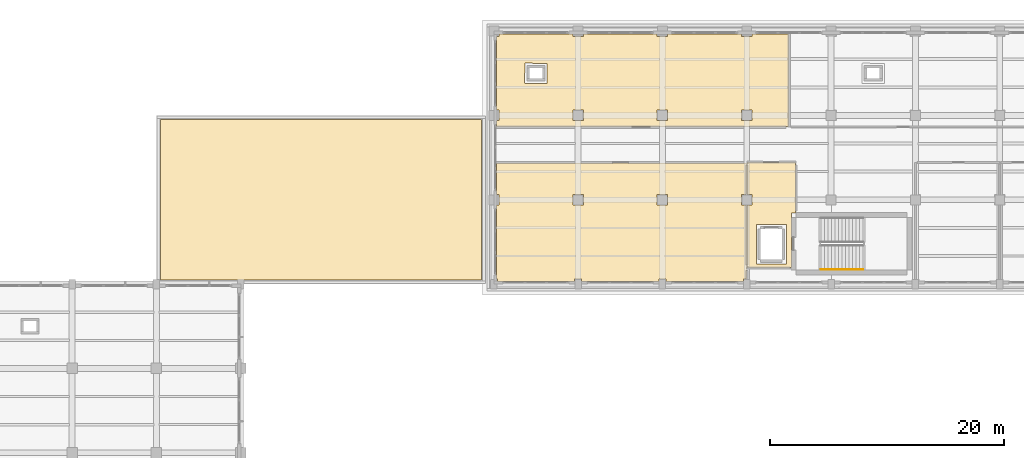
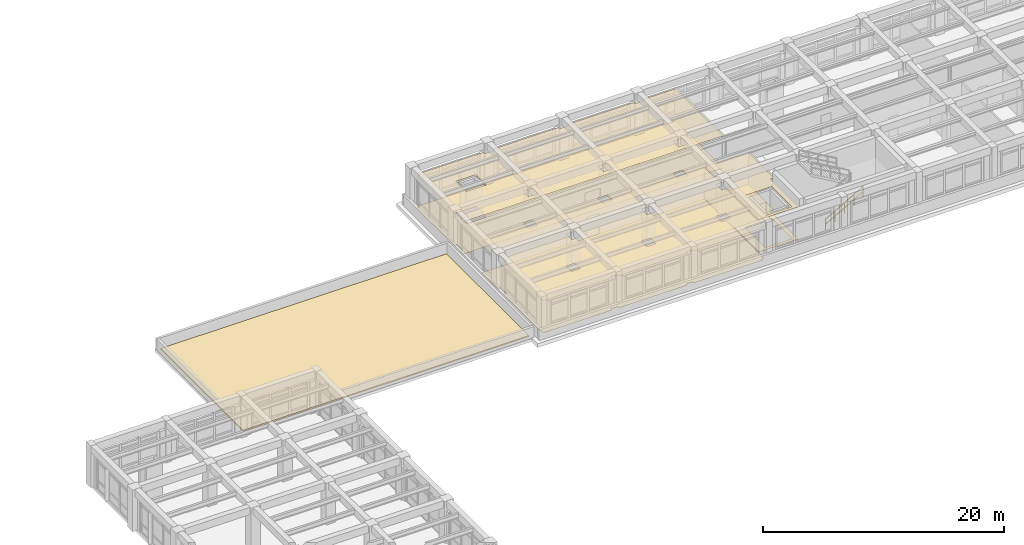
# One storey, part 65 of 69: 7 coverings, 1 railing.
"""IFC4 building model written with IfcOpenShell, lengths in metres."""

from ifc_helpers import new_model, si_unit, direction, frame, origin, origin_2d, place, context, subcontext, project, spatial, polyline, circle, outline, extrude, material, layer, layer_set, type_object, element, save


model = new_model("IFC4")

# Units and contexts
model_context = context("Model", 3, precision=1e-05, world=origin(), true_north=direction((0.0, 1.0)))
body_context = subcontext(model_context, "Body", "Model", "MODEL_VIEW")
ifc_project = project(units=[si_unit("LENGTHUNIT", "METRE"), si_unit("AREAUNIT", "SQUARE_METRE"), si_unit("VOLUMEUNIT", "CUBIC_METRE"), si_unit("PLANEANGLEUNIT", "RADIAN"), si_unit("MASSUNIT", "GRAM", prefix="KILO")], contexts=[model_context])

# Site, building, storey
site_placement = place(None, origin())
site = spatial("IfcSite", under=ifc_project, at=site_placement, CompositionType="ELEMENT")
building_placement = place(site_placement, origin())
building = spatial("IfcBuilding", under=site, at=building_placement, Name="Solenvale Faculty of Natural Sciences", CompositionType="ELEMENT")
storey_placement = place(building_placement, frame((0.0, 0.0, 4.5)))
storey = spatial("IfcBuildingStorey", under=building, at=storey_placement, Name="L01", CompositionType="ELEMENT", Elevation=4.5)

# Coverings
ifc_material_1 = material(Name="Acoustic mineral-timber ceiling", Category="wood")
ifc_layer_1 = layer(ifc_material_1, 0.02490234375)
ifc_layer_set_1 = layer_set([ifc_layer_1], Name="Acoustic mineral-timber ceiling")
covering_type_1 = type_object("IfcCoveringType", Name="COV-CEIL-AC25", PredefinedType="CEILING", material=ifc_layer_set_1)
covering_1_placement = place(storey_placement, frame((0.0, 0.0, 3.235107421875)))
element("IfcCovering", 1, at=covering_1_placement, inside=storey, type_object=covering_type_1, Name="L01 Firefighting Lobby C4 Acoustic Ceiling", PredefinedType="CEILING", context=body_context, shape_type="SweptSolid", body=[
    extrude(outline(polyline([(104.97998046875, 99.7099609375), (104.9560546875, 99.680908203125), (104.64794921875, 99.679931640625), (104.6201171875, 99.652099609375), (104.613037109375, 95.031005859375), (104.590087890625, 95.02001953125), (100.8310546875, 95.027099609375), (100.820068359375, 95.050048828125), (100.820068359375, 100.322998046875), (100.846923828125, 100.35009765625), (101.2490234375, 100.35595703125), (101.25, 101.239013671875), (101.239013671875, 101.25), (100.846923828125, 101.25), (100.821044921875, 101.27392578125), (100.820068359375, 103.949951171875), (100.8291015625, 103.970947265625), (100.85009765625, 103.97998046875), (104.949951171875, 103.97998046875), (104.970947265625, 103.970947265625), (104.97998046875, 103.949951171875), (104.97998046875, 99.7099609375)]), holes=[polyline([(104.179931640625, 98.652099609375), (104.169921875, 98.672119140625), (104.14990234375, 98.679931640625), (101.64990234375, 98.679931640625), (101.6259765625, 98.66796875), (101.6201171875, 95.35009765625), (101.632080078125, 95.325927734375), (104.14990234375, 95.320068359375), (104.174072265625, 95.33203125), (104.179931640625, 98.652099609375)])]), origin(), (0.0, 0.0, 1.0), 0.02490234375),
])
covering_2_placement = place(storey_placement, frame((0.0, 0.0, 3.235107421875)))
element("IfcCovering", 2, at=covering_2_placement, inside=storey, type_object=covering_type_1, Name="L01 Earth Sciences Teaching Laboratory Acoustic Ceiling", PredefinedType="CEILING", context=body_context, shape_type="SweptSolid", body=[
    extrude(outline(polyline([(100.72998046875, 103.9599609375), (100.7509765625, 103.950927734375), (100.760009765625, 103.929931640625), (100.760009765625, 101.277099609375), (100.73291015625, 101.25), (100.361083984375, 101.25), (100.35009765625, 101.239013671875), (100.35107421875, 100.35595703125), (100.73291015625, 100.35009765625), (100.760009765625, 100.320068359375), (100.760009765625, 95.0), (100.780029296875, 94.950927734375), (100.780029296875, 94.054931640625), (100.7529296875, 94.02490234375), (100.50390625, 94.02294921875), (100.5, 93.866943359375), (100.48388671875, 93.843994140625), (93.929931640625, 93.840087890625), (93.90087890625, 93.864013671875), (93.89990234375, 94.01611328125), (93.888916015625, 94.02490234375), (93.306884765625, 94.02490234375), (93.299072265625, 93.864013671875), (93.27001953125, 93.840087890625), (86.72998046875, 93.840087890625), (86.700927734375, 93.864013671875), (86.699951171875, 94.01611328125), (86.68896484375, 94.02490234375), (86.10693359375, 94.02490234375), (86.09912109375, 93.864013671875), (86.070068359375, 93.840087890625), (79.530029296875, 93.840087890625), (79.50390625, 93.85595703125), (79.5, 94.01806640625), (79.452880859375, 94.030029296875), (79.43994140625, 94.054931640625), (79.43994140625, 100.320068359375), (79.464111328125, 100.34912109375), (79.64990234375, 100.35791015625), (79.64990234375, 101.239013671875), (79.64111328125, 101.25), (79.464111328125, 101.2509765625), (79.43994140625, 101.277099609375), (79.43994140625, 103.929931640625), (79.4560546875, 103.9560546875), (100.72998046875, 103.9599609375)]), holes=[polyline([(94.050048828125, 101.239013671875), (94.0390625, 101.25), (93.153076171875, 101.2470703125), (93.153076171875, 100.35302734375), (94.047119140625, 100.35302734375), (94.050048828125, 101.239013671875)]), polyline([(86.85009765625, 101.239013671875), (86.839111328125, 101.25), (85.952880859375, 101.2470703125), (85.952880859375, 100.35302734375), (86.846923828125, 100.35302734375), (86.85009765625, 101.239013671875)])]), origin(), (0.0, 0.0, 1.0), 0.02490234375),
])
covering_3_placement = place(storey_placement, frame((0.0, 0.0, 3.235107421875)))
element("IfcCovering", 3, at=covering_3_placement, inside=storey, type_object=covering_type_1, Name="L01 Molecular Biology Research Laboratory Acoustic Ceiling", PredefinedType="CEILING", context=body_context, shape_type="SweptSolid", body=[
    extrude(outline(polyline([(85.919921875, 114.9599609375), (85.948974609375, 114.93603515625), (85.949951171875, 114.759033203125), (85.9609375, 114.75), (86.842041015625, 114.75), (86.85107421875, 114.93603515625), (86.8798828125, 114.9599609375), (93.1201171875, 114.9599609375), (93.14892578125, 114.93603515625), (93.14990234375, 114.759033203125), (93.160888671875, 114.75), (94.0419921875, 114.75), (94.051025390625, 114.93603515625), (94.080078125, 114.9599609375), (100.320068359375, 114.9599609375), (100.34912109375, 114.93603515625), (100.35009765625, 114.759033203125), (100.361083984375, 114.75), (101.241943359375, 114.75), (101.2509765625, 114.93603515625), (101.277099609375, 114.9599609375), (104.361083984375, 114.9580078125), (104.3798828125, 114.929931640625), (104.3779296875, 107.05908203125), (104.35009765625, 107.0400390625), (79.450927734375, 107.047119140625), (79.43994140625, 107.070068359375), (79.44189453125, 107.531005859375), (79.467041015625, 107.550048828125), (79.64111328125, 107.550048828125), (79.64990234375, 107.55908203125), (79.64990234375, 108.43896484375), (79.64111328125, 108.449951171875), (79.464111328125, 108.450927734375), (79.43994140625, 108.47998046875), (79.447021484375, 114.739013671875), (79.467041015625, 114.75), (79.64697265625, 114.7529296875), (79.65087890625, 114.93603515625), (79.679931640625, 114.9599609375), (85.919921875, 114.9599609375)]), holes=[polyline([(101.25, 108.43896484375), (101.239013671875, 108.449951171875), (100.35302734375, 108.447021484375), (100.35302734375, 107.552978515625), (101.2470703125, 107.552978515625), (101.25, 108.43896484375)]), polyline([(93.160888671875, 108.449951171875), (93.14990234375, 108.43896484375), (93.153076171875, 107.552978515625), (94.047119140625, 107.552978515625), (94.047119140625, 108.447021484375), (93.160888671875, 108.449951171875)]), polyline([(86.85009765625, 108.43896484375), (86.839111328125, 108.449951171875), (85.952880859375, 108.447021484375), (85.952880859375, 107.552978515625), (86.846923828125, 107.552978515625), (86.85009765625, 108.43896484375)]), polyline([(83.73193359375, 110.739990234375), (83.751953125, 110.75), (83.760009765625, 110.77001953125), (83.760009765625, 112.429931640625), (83.75, 112.451904296875), (81.8701171875, 112.4599609375), (81.847900390625, 112.449951171875), (81.840087890625, 110.77001953125), (81.85009765625, 110.748046875), (83.73193359375, 110.739990234375)])]), origin(), (0.0, 0.0, 1.0), 0.02490234375),
])
ifc_material_2 = material(Name="Polished slate terrazzo flooring", Category="masonry")
ifc_layer_2 = layer(ifc_material_2, 0.01806640625)
ifc_layer_set_2 = layer_set([ifc_layer_2], Name="Polished slate terrazzo flooring")
covering_type_2 = type_object("IfcCoveringType", Name="COV-FLR-TRZ18", PredefinedType="FLOORING", material=ifc_layer_set_2)
covering_4_placement = place(storey_placement, origin())
element("IfcCovering", 4, at=covering_4_placement, inside=storey, type_object=covering_type_2, Name="L01 Firefighting Lobby C4 Floor Finish", PredefinedType="FLOORING", context=body_context, shape_type="SweptSolid", body=[
    extrude(outline(polyline([(104.97998046875, 99.7099609375), (104.9560546875, 99.680908203125), (104.64794921875, 99.679931640625), (104.6201171875, 99.652099609375), (104.613037109375, 95.031005859375), (104.590087890625, 95.02001953125), (100.8310546875, 95.027099609375), (100.820068359375, 95.050048828125), (100.820068359375, 100.322998046875), (100.846923828125, 100.35009765625), (101.2490234375, 100.35595703125), (101.25, 101.239013671875), (101.239013671875, 101.25), (100.846923828125, 101.25), (100.821044921875, 101.27392578125), (100.820068359375, 103.949951171875), (100.8291015625, 103.970947265625), (100.85009765625, 103.97998046875), (104.949951171875, 103.97998046875), (104.970947265625, 103.970947265625), (104.97998046875, 103.949951171875), (104.97998046875, 99.7099609375)]), holes=[polyline([(104.179931640625, 98.652099609375), (104.169921875, 98.672119140625), (104.14990234375, 98.679931640625), (101.64990234375, 98.679931640625), (101.6259765625, 98.66796875), (101.6201171875, 95.35009765625), (101.632080078125, 95.325927734375), (104.14990234375, 95.320068359375), (104.174072265625, 95.33203125), (104.179931640625, 98.652099609375)])]), origin(), (0.0, 0.0, 1.0), 0.01806640625),
])
ifc_material_3 = material(Name="Seamless laboratory vinyl flooring")
ifc_layer_3 = layer(ifc_material_3, 0.008056640625)
ifc_layer_set_3 = layer_set([ifc_layer_3], Name="Seamless laboratory vinyl flooring")
covering_type_3 = type_object("IfcCoveringType", Name="COV-FLR-VNL08", PredefinedType="FLOORING", material=ifc_layer_set_3)
covering_5_placement = place(storey_placement, origin())
element("IfcCovering", 5, at=covering_5_placement, inside=storey, type_object=covering_type_3, Name="L01 Earth Sciences Teaching Laboratory Floor Finish", PredefinedType="FLOORING", context=body_context, shape_type="SweptSolid", body=[
    extrude(outline(polyline([(100.72998046875, 103.9599609375), (100.7509765625, 103.950927734375), (100.760009765625, 103.929931640625), (100.760009765625, 101.277099609375), (100.73291015625, 101.25), (100.361083984375, 101.25), (100.35009765625, 101.239013671875), (100.35107421875, 100.35595703125), (100.73291015625, 100.35009765625), (100.760009765625, 100.320068359375), (100.760009765625, 95.0), (100.780029296875, 94.950927734375), (100.780029296875, 94.054931640625), (100.7529296875, 94.02490234375), (100.50390625, 94.02294921875), (100.5, 93.866943359375), (100.48388671875, 93.843994140625), (93.929931640625, 93.840087890625), (93.90087890625, 93.864013671875), (93.89990234375, 94.01611328125), (93.888916015625, 94.02490234375), (93.306884765625, 94.02490234375), (93.299072265625, 93.864013671875), (93.27001953125, 93.840087890625), (86.72998046875, 93.840087890625), (86.700927734375, 93.864013671875), (86.699951171875, 94.01611328125), (86.68896484375, 94.02490234375), (86.10693359375, 94.02490234375), (86.09912109375, 93.864013671875), (86.070068359375, 93.840087890625), (79.530029296875, 93.840087890625), (79.50390625, 93.85595703125), (79.5, 94.01806640625), (79.452880859375, 94.030029296875), (79.43994140625, 94.054931640625), (79.43994140625, 100.320068359375), (79.464111328125, 100.34912109375), (79.64990234375, 100.35791015625), (79.64990234375, 101.239013671875), (79.64111328125, 101.25), (79.464111328125, 101.2509765625), (79.43994140625, 101.277099609375), (79.43994140625, 103.929931640625), (79.4560546875, 103.9560546875), (100.72998046875, 103.9599609375)]), holes=[polyline([(94.050048828125, 101.239013671875), (94.0390625, 101.25), (93.153076171875, 101.2470703125), (93.153076171875, 100.35302734375), (94.047119140625, 100.35302734375), (94.050048828125, 101.239013671875)]), polyline([(86.85009765625, 101.239013671875), (86.839111328125, 101.25), (85.952880859375, 101.2470703125), (85.952880859375, 100.35302734375), (86.846923828125, 100.35302734375), (86.85009765625, 101.239013671875)])]), origin(), (0.0, 0.0, 1.0), 0.008056640625),
])
covering_6_placement = place(storey_placement, origin())
element("IfcCovering", 6, at=covering_6_placement, inside=storey, type_object=covering_type_3, Name="L01 Molecular Biology Research Laboratory Floor Finish", PredefinedType="FLOORING", context=body_context, shape_type="SweptSolid", body=[
    extrude(outline(polyline([(85.919921875, 114.9599609375), (85.948974609375, 114.93603515625), (85.949951171875, 114.759033203125), (85.9609375, 114.75), (86.842041015625, 114.75), (86.85107421875, 114.93603515625), (86.8798828125, 114.9599609375), (93.1201171875, 114.9599609375), (93.14892578125, 114.93603515625), (93.14990234375, 114.759033203125), (93.160888671875, 114.75), (94.0419921875, 114.75), (94.051025390625, 114.93603515625), (94.080078125, 114.9599609375), (100.320068359375, 114.9599609375), (100.34912109375, 114.93603515625), (100.35009765625, 114.759033203125), (100.361083984375, 114.75), (101.241943359375, 114.75), (101.2509765625, 114.93603515625), (101.277099609375, 114.9599609375), (104.361083984375, 114.9580078125), (104.3798828125, 114.929931640625), (104.3779296875, 107.05908203125), (104.35009765625, 107.0400390625), (79.450927734375, 107.047119140625), (79.43994140625, 107.070068359375), (79.44189453125, 107.531005859375), (79.467041015625, 107.550048828125), (79.64111328125, 107.550048828125), (79.64990234375, 107.55908203125), (79.64990234375, 108.43896484375), (79.64111328125, 108.449951171875), (79.464111328125, 108.450927734375), (79.43994140625, 108.47998046875), (79.447021484375, 114.739013671875), (79.467041015625, 114.75), (79.64697265625, 114.7529296875), (79.65087890625, 114.93603515625), (79.679931640625, 114.9599609375), (85.919921875, 114.9599609375)]), holes=[polyline([(101.25, 108.43896484375), (101.239013671875, 108.449951171875), (100.35302734375, 108.447021484375), (100.35302734375, 107.552978515625), (101.2470703125, 107.552978515625), (101.25, 108.43896484375)]), polyline([(93.160888671875, 108.449951171875), (93.14990234375, 108.43896484375), (93.153076171875, 107.552978515625), (94.047119140625, 107.552978515625), (94.047119140625, 108.447021484375), (93.160888671875, 108.449951171875)]), polyline([(86.85009765625, 108.43896484375), (86.839111328125, 108.449951171875), (85.952880859375, 108.447021484375), (85.952880859375, 107.552978515625), (86.846923828125, 107.552978515625), (86.85009765625, 108.43896484375)]), polyline([(83.73193359375, 110.739990234375), (83.751953125, 110.75), (83.760009765625, 110.77001953125), (83.760009765625, 112.429931640625), (83.75, 112.451904296875), (81.8701171875, 112.4599609375), (81.847900390625, 112.449951171875), (81.840087890625, 110.77001953125), (81.85009765625, 110.748046875), (83.73193359375, 110.739990234375)])]), origin(), (0.0, 0.0, 1.0), 0.008056640625),
])
ifc_material_4 = material(Name="Planted green roof build-up")
ifc_layer_4 = layer(ifc_material_4, 0.1201171875)
ifc_layer_set_4 = layer_set([ifc_layer_4], Name="Planted green roof build-up")
covering_type_4 = type_object("IfcCoveringType", Name="COV-ROOF-GREEN", PredefinedType="ROOFING", material=ifc_layer_set_4)
covering_7_placement = place(storey_placement, origin())
element("IfcCovering", 7, at=covering_7_placement, inside=storey, type_object=covering_type_4, Name="L01 Roof Covering 3", PredefinedType="ROOFING", context=body_context, shape_type="SweptSolid", body=[
    extrude(outline(polyline([(78.169921875, 107.64990234375), (78.169921875, 93.949951171875), (50.75, 93.949951171875), (50.75, 107.64990234375), (78.169921875, 107.64990234375)])), origin(), (0.0, 0.0, 1.0), 0.1201171875),
])

# Railing
ifc_material_5 = material(Name="Stainless steel Grade 304", Category="steel")
railing_type = type_object("IfcRailingType", Name="RL-HND-900", PredefinedType="HANDRAIL", material=ifc_material_5)
railing_placement = place(storey_placement, frame((107.139892578125, 94.85009765625, 0.173095703125)))
element("IfcRailing", 8, at=railing_placement, inside=storey, type_object=railing_type, Name="L01 ST-04 stair handrail 1", PredefinedType="HANDRAIL", context=body_context, shape_type="SweptSolid", body=[
    extrude(circle(Radius=0.02392578125, at=origin_2d()), frame((0.0, 0.0, 1.0732421875), z_axis=(0.866193409371, 0.0, 0.499708892819), x_axis=(0.0, 1.0, 0.0)), (0.0, 0.0, 1.0), 4.15625),
    extrude(circle(Radius=0.01611328125, at=origin_2d()), frame((0.0, 0.0, 0.548583984375), z_axis=(0.866193409371, 0.0, 0.499708892819), x_axis=(0.0, 1.0, 0.0)), (0.0, 0.0, 1.0), 4.15625),
    extrude(circle(Radius=0.02099609375, at=origin_2d()), origin(), (0.0, 0.0, 1.0), 1.049072265625),
    extrude(circle(Radius=0.02099609375, at=origin_2d()), frame((0.89990234375, 0.0, 0.519287109375)), (0.0, 0.0, 1.0), 1.049072265625),
    extrude(circle(Radius=0.02099609375, at=origin_2d()), frame((1.800048828125, 0.0, 1.03857421875)), (0.0, 0.0, 1.0), 1.049072265625),
    extrude(circle(Radius=0.02099609375, at=origin_2d()), frame((2.7001953125, 0.0, 1.5576171875)), (0.0, 0.0, 1.0), 1.049072265625),
    extrude(circle(Radius=0.02099609375, at=origin_2d()), frame((3.60009765625, 0.0, 2.076904296875)), (0.0, 0.0, 1.0), 1.049072265625),
])

save(model, "model.ifc")
